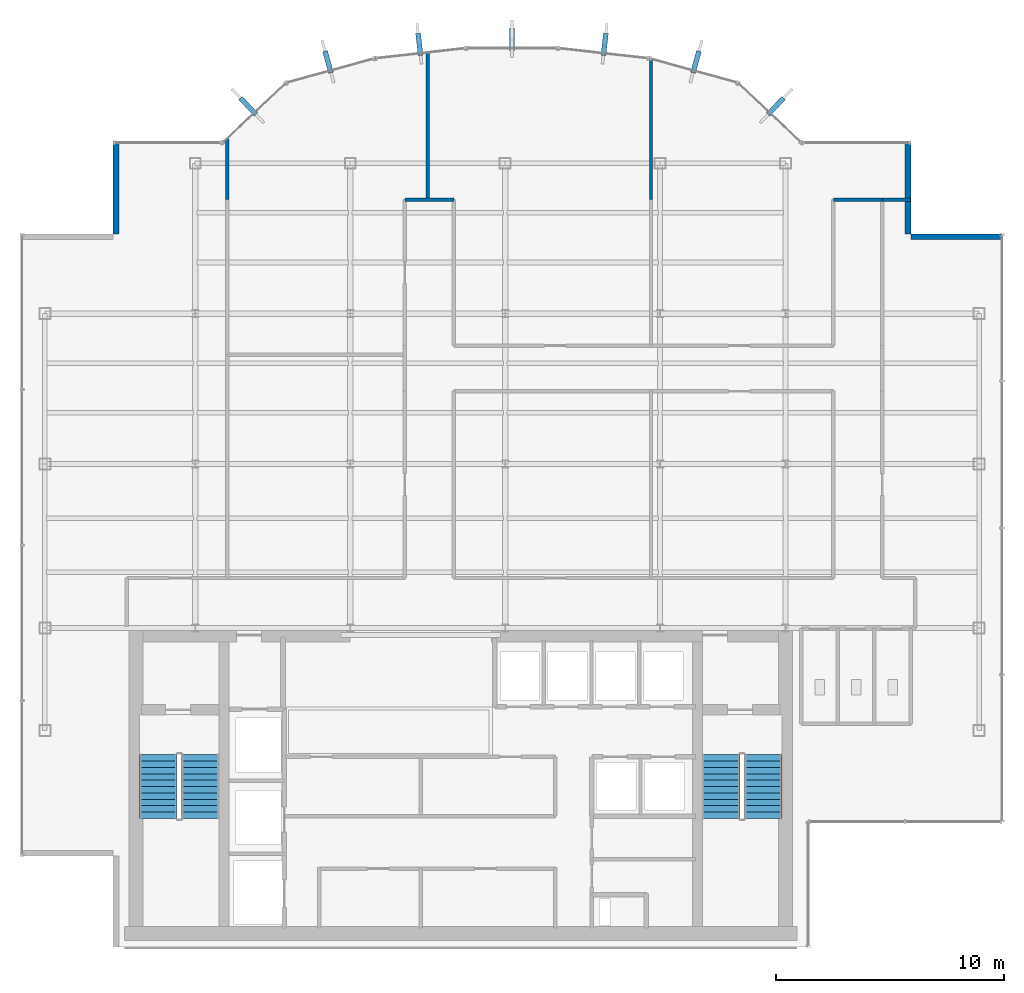
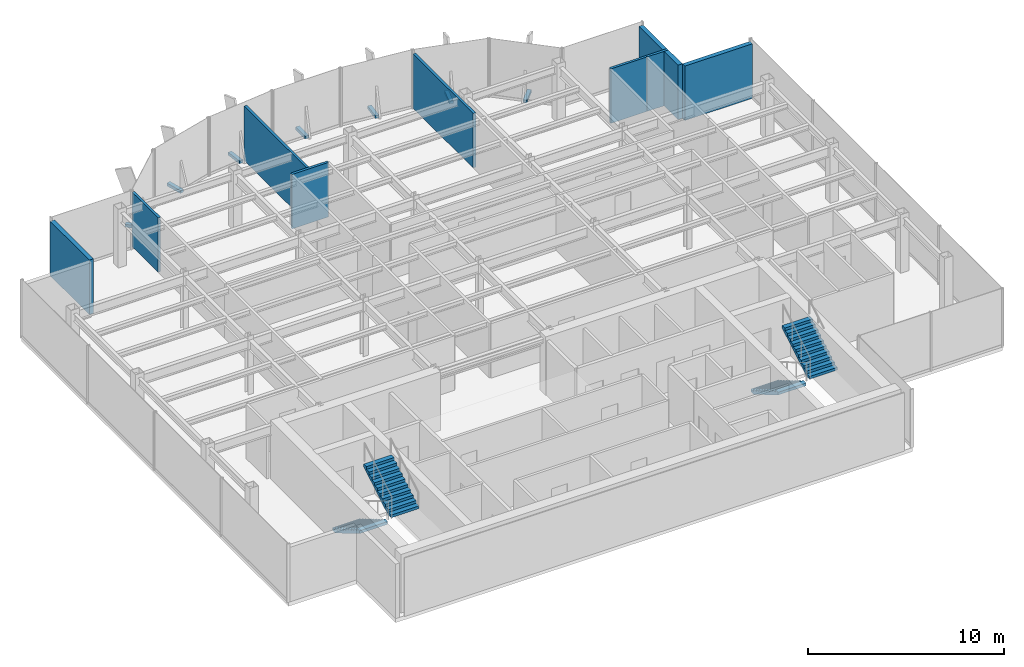
# One storey, part 19 of 22: 9 walls, 7 discrete accessories, 4 stair flights, 2 elements without a shape of their own.
"""IFC4 building model written with IfcOpenShell, lengths in metres."""

from ifc_helpers import new_model, si_unit, derived_unit, direction, frame, frame_2d, origin, origin_2d, place, context, subcontext, project, spatial, polyline, rectangle, outline, extrude, source, transform, mapped, material, layer, layer_set, type_object, element, aggregate, save


model = new_model("IFC4")

# Units and contexts
model_context = context("Model", 3, precision=1e-05, world=origin(), true_north=direction((0.0, 1.0)))
body_context = subcontext(model_context, "Body", "Model", "MODEL_VIEW")
ifc_project = project(units=[si_unit("LENGTHUNIT", "METRE"), si_unit("AREAUNIT", "SQUARE_METRE"), si_unit("VOLUMEUNIT", "CUBIC_METRE"), si_unit("PLANEANGLEUNIT", "RADIAN"), si_unit("MASSUNIT", "GRAM", prefix="KILO"), derived_unit("THERMALTRANSMITTANCEUNIT", [(si_unit("POWERUNIT", "WATT"), 1), (si_unit("LENGTHUNIT", "METRE"), -2), (si_unit("THERMODYNAMICTEMPERATUREUNIT", "KELVIN"), -1)])], contexts=[model_context])

# Site, building, storey
site_placement = place(None, origin())
site = spatial("IfcSite", under=ifc_project, at=site_placement, CompositionType="ELEMENT")
building_placement = place(site_placement, origin())
building = spatial("IfcBuilding", under=site, at=building_placement, Name="Skarnbrae Concourse Arena and Tower", CompositionType="ELEMENT")
storey_placement = place(building_placement, frame((0.0, 0.0, 280.699951171875)))
storey = spatial("IfcBuildingStorey", under=building, at=storey_placement, Name="L73", CompositionType="ELEMENT", Elevation=280.699951171875)

# Walls
ifc_material_1 = material(Name="Precast concrete 40 MPa (C40/50)", Category="concrete")
ifc_layer_1 = layer(ifc_material_1, 0.25)
ifc_layer_set_1 = layer_set([ifc_layer_1], Name="Precast concrete 40 MPa (C40/50)")
wall_type_1 = type_object("IfcWallType", Name="WALL-EXT-SPANDREL-250", PredefinedType="STANDARD", material=ifc_layer_set_1)
shared_shape_1 = source(origin(), body_context, "Body", "SweptSolid", [
    extrude(rectangle(XDim=4.0, YDim=0.25, at=frame_2d((2.0, 0.0))), origin(), (0.0, 0.0, 1.0), 3.400146484375),
])
for number, where, z_axis, x_axis, name in (
    (1, (43.0, 31.175048828125, 0.0), (0.0, 0.0, 1.0), (-1.0, 0.0, 0.0), "L73 Notched corner insulated return wall 05"),
    (2, (38.875, 31.300048828125, 0.0), (0.0, 0.0, 1.0), (0.0, 1.0, 0.0), "L73 Notched corner insulated return wall 06"),
    (3, (4.125, 35.300048828125, 0.0), (0.0, 0.0, 1.0), (0.0, -1.0, 0.0), "L73 Notched corner insulated return wall 16"),
):
    element("IfcWall", number, at=place(storey_placement, frame(where, z_axis=z_axis, x_axis=x_axis)), inside=storey, type_object=wall_type_1, Name=name, PredefinedType="STANDARD", context=body_context, shape_type="MappedRepresentation", body=[
        mapped(shared_shape_1, transform((0.0, 0.0, 0.0))),
    ])
ifc_material_2 = material(Name="Gypsum board on cold-formed steel studs", Category="steel")
ifc_layer_2 = layer(ifc_material_2, 0.14990234375)
ifc_layer_set_2 = layer_set([ifc_layer_2], Name="Gypsum board on cold-formed steel studs")
wall_type_2 = type_object("IfcWallType", Name="WALL-PART-150-1HR", PredefinedType="PARTITIONING", material=ifc_layer_set_2)
shared_shape_2 = source(origin(), body_context, "Body", "SweptSolid", [
    extrude(rectangle(XDim=2.14990234375, YDim=0.14990234375, at=frame_2d((1.074951171875, 0.0))), origin(), (0.0, 0.0, 1.0), 3.400146484375),
])
for number, where, z_axis, x_axis, name in (
    (4, (16.800048828125, 32.800048828125, 0.0), (0.0, 0.0, 1.0), (1.0, 0.0, 0.0), "L73 Interior partition wall W-L73-COR-06"),
    (5, (35.60009765625, 32.800048828125, 0.0), (0.0, 0.0, 1.0), (1.0, 0.0, 0.0), "L73 Interior partition wall W-L73-COR-10"),
):
    element("IfcWall", number, at=place(storey_placement, frame(where, z_axis=z_axis, x_axis=x_axis)), inside=storey, type_object=wall_type_2, Name=name, PredefinedType="PARTITIONING", context=body_context, shape_type="MappedRepresentation", body=[
        mapped(shared_shape_2, transform((0.0, 0.0, 0.0))),
    ])
ifc_layer_3 = layer(ifc_material_2, 0.14990234375)
ifc_layer_set_3 = layer_set([ifc_layer_3], Name="Gypsum board on cold-formed steel studs")
wall_type_3 = type_object("IfcWallType", Name="WALL-PART-150", PredefinedType="PARTITIONING", material=ifc_layer_set_3)
shared_shape_3 = source(origin(), body_context, "Body", "SweptSolid", [
    extrude(rectangle(XDim=2.66064453125, YDim=0.14990234375, at=frame_2d((1.330322265625, 0.0))), origin(), (0.0, 0.0, 1.0), 3.400146484375),
])
wall_1_placement = place(storey_placement, frame((9.0, 35.460693359375, 0.0), z_axis=(0.0, 0.0, 1.0), x_axis=(0.0, -1.0, 0.0)))
element("IfcWall", 6, at=wall_1_placement, inside=storey, type_object=wall_type_3, Name="L73 Interior partition wall W-L73-DEM-23", PredefinedType="PARTITIONING", context=body_context, shape_type="MappedRepresentation", body=[
    mapped(shared_shape_3, transform((0.0, 0.0, 0.0))),
])
shared_shape_4 = source(origin(), body_context, "Body", "SweptSolid", [
    extrude(rectangle(XDim=6.437744140625, YDim=0.14990234375, at=frame_2d((3.21875, 0.0))), origin(), (0.0, 0.0, 1.0), 3.400146484375),
])
wall_2_placement = place(storey_placement, frame((17.800048828125, 39.23779296875, 0.0), z_axis=(0.0, 0.0, 1.0), x_axis=(0.0, -1.0, 0.0)))
element("IfcWall", 7, at=wall_2_placement, inside=storey, type_object=wall_type_3, Name="L73 Interior partition wall W-L73-DEM-25", PredefinedType="PARTITIONING", context=body_context, shape_type="MappedRepresentation", body=[
    mapped(shared_shape_4, transform((0.0, 0.0, 0.0))),
])
shared_shape_5 = source(origin(), body_context, "Body", "SweptSolid", [
    extrude(rectangle(XDim=6.15576171875, YDim=0.14990234375, at=frame_2d((3.077880859375, 0.0))), origin(), (0.0, 0.0, 1.0), 3.400146484375),
])
wall_3_placement = place(storey_placement, frame((27.60009765625, 38.955810546875, 0.0), z_axis=(0.0, 0.0, 1.0), x_axis=(0.0, -1.0, 0.0)))
element("IfcWall", 8, at=wall_3_placement, inside=storey, type_object=wall_type_3, Name="L73 Interior partition wall W-L73-DEM-27", PredefinedType="PARTITIONING", context=body_context, shape_type="MappedRepresentation", body=[
    mapped(shared_shape_5, transform((0.0, 0.0, 0.0))),
])
shared_shape_6 = source(origin(), body_context, "Body", "SweptSolid", [
    extrude(rectangle(XDim=1.22998046875, YDim=0.14990234375, at=frame_2d((0.614990234375, 0.0))), origin(), (0.0, 0.0, 1.0), 3.400146484375),
])
wall_4_placement = place(storey_placement, frame((38.97998046875, 32.800048828125, 0.0), z_axis=(0.0, 0.0, 1.0), x_axis=(-1.0, 0.0, 0.0)))
element("IfcWall", 9, at=wall_4_placement, inside=storey, type_object=wall_type_3, Name="L73 Interior partition wall W-L73-DEM-29", PredefinedType="PARTITIONING", context=body_context, shape_type="MappedRepresentation", body=[
    mapped(shared_shape_6, transform((0.0, 0.0, 0.0))),
])

# Stair, stair flights
ifc_material_3 = material(Name="Concrete 40 MPa (C40/50)", Category="concrete")
stair_type = type_object("IfcStairType", Name="STAIR-DOGLEG-1650", PredefinedType="HALF_TURN_STAIR", material=ifc_material_3)
stair_1_placement = place(storey_placement, origin())
stair_1 = element("IfcStair", 10, at=stair_1_placement, inside=storey, type_object=stair_type, Name="L73 Protected Exit Stair ST-1", PredefinedType="HALF_TURN_STAIR")
stair_flight_type = type_object("IfcStairFlightType", Name="FLIGHT-STRAIGHT-1650", PredefinedType="STRAIGHT", material=ifc_material_3)
shared_shape_7 = source(origin(), body_context, "Body", "SweptSolid", [
    extrude(outline(polyline([(0.0, 0.0), (0.0, 0.166015625), (0.280029296875, 0.166015625), (0.280029296875, 0.331787109375), (0.56005859375, 0.331787109375), (0.56005859375, 0.497802734375), (0.840087890625, 0.497802734375), (0.840087890625, 0.66357421875), (1.1201171875, 0.66357421875), (1.1201171875, 0.82958984375), (1.39990234375, 0.82958984375), (1.39990234375, 0.995361328125), (1.679931640625, 0.995361328125), (1.679931640625, 1.161376953125), (1.9599609375, 1.161376953125), (1.9599609375, 1.327392578125), (2.239990234375, 1.327392578125), (2.239990234375, 1.4931640625), (2.52001953125, 1.4931640625), (2.52001953125, 1.6591796875), (2.800048828125, 1.6591796875), (2.800048828125, 1.824951171875), (2.800048828125, 1.48486328125), (0.2939453125, 0.0), (0.0, 0.0)])), frame((0.0, 0.824951171875, 0.0), z_axis=(0.0, -1.0, 0.0), x_axis=(1.0, 0.0, 0.0)), (0.0, 0.0, 1.0), 1.64990234375),
])
stair_flight_1_placement = place(storey_placement, frame((5.97509765625, 8.449951171875, 0.0), z_axis=(0.0, 0.0, 1.0), x_axis=(0.0, -1.0, 0.0)))
stair_flight_1 = element("IfcStairFlight", 11, at=stair_flight_1_placement, type_object=stair_flight_type, Name="ST-1 flight 1", NumberOfRisers=11, NumberOfTreads=10, PredefinedType="STRAIGHT", RiserHeight=0.165909091, TreadLength=0.28, context=body_context, shape_type="MappedRepresentation", body=[
    mapped(shared_shape_7, transform((0.0, 0.0, 0.0))),
])
stair_flight_2_placement = place(storey_placement, frame((7.824951171875, 5.64990234375, 1.824951171875), z_axis=(0.0, 0.0, 1.0), x_axis=(0.0, 1.0, 0.0)))
stair_flight_2 = element("IfcStairFlight", 12, at=stair_flight_2_placement, type_object=stair_flight_type, Name="ST-1 flight 2", NumberOfRisers=11, NumberOfTreads=10, PredefinedType="STRAIGHT", RiserHeight=0.165909091, TreadLength=0.28, context=body_context, shape_type="MappedRepresentation", body=[
    mapped(shared_shape_7, transform((0.0, 0.0, 0.0))),
])
aggregate(stair_1, [stair_flight_1, stair_flight_2])

stair_2_placement = place(storey_placement, origin())
stair_2 = element("IfcStair", 13, at=stair_2_placement, inside=storey, type_object=stair_type, Name="L73 Protected Exit Stair ST-2", PredefinedType="HALF_TURN_STAIR")
stair_flight_3_placement = place(storey_placement, frame((30.675048828125, 8.449951171875, 0.0), z_axis=(0.0, 0.0, 1.0), x_axis=(0.0, -1.0, 0.0)))
stair_flight_3 = element("IfcStairFlight", 14, at=stair_flight_3_placement, type_object=stair_flight_type, Name="ST-2 flight 1", NumberOfRisers=11, NumberOfTreads=10, PredefinedType="STRAIGHT", RiserHeight=0.165909091, TreadLength=0.28, context=body_context, shape_type="MappedRepresentation", body=[
    mapped(shared_shape_7, transform((0.0, 0.0, 0.0))),
])
stair_flight_4_placement = place(storey_placement, frame((32.52490234375, 5.64990234375, 1.824951171875), z_axis=(0.0, 0.0, 1.0), x_axis=(0.0, 1.0, 0.0)))
stair_flight_4 = element("IfcStairFlight", 15, at=stair_flight_4_placement, type_object=stair_flight_type, Name="ST-2 flight 2", NumberOfRisers=11, NumberOfTreads=10, PredefinedType="STRAIGHT", RiserHeight=0.165909091, TreadLength=0.28, context=body_context, shape_type="MappedRepresentation", body=[
    mapped(shared_shape_7, transform((0.0, 0.0, 0.0))),
])
aggregate(stair_2, [stair_flight_3, stair_flight_4])

# Discrete accessories
ifc_material_4 = material(Name="Bronze anodised aluminium 6063-T6", Category="aluminium")
discrete_accessory_type = type_object("IfcDiscreteAccessoryType", Name="ACC-FIN-BRACKET", PredefinedType="BRACKET", material=ifc_material_4)
shared_shape_8 = source(origin(), body_context, "Body", "SweptSolid", [
    extrude(rectangle(XDim=0.219970703125, YDim=0.97998046875, at=origin_2d()), origin(), (0.0, 0.0, 1.0), 0.179931640625),
])
for number, where, z_axis, x_axis, name in (
    (16, (33.0791015625, 36.904541015625, -0.02978515625), (0.0, 0.0, 1.0), (0.728131751529, -0.685437198009, 0.0), "L73 Bronze fin foot support bracket 08"),
    (17, (29.573974609375, 38.847412109375, -0.02978515625), (0.0, 0.0, 1.0), (0.964058316208, -0.265690728011, 0.0), "L73 Bronze fin foot support bracket 09"),
    (18, (25.566162109375, 39.619384765625, -0.02978515625), (0.0, 0.0, 1.0), (0.993769864509, -0.111451587667, 0.0), "L73 Bronze fin foot support bracket 10"),
    (19, (21.5, 39.8466796875, -0.02978515625), (0.0, 0.0, 1.0), (1.0, 0.0, 0.0), "L73 Bronze fin foot support bracket 11"),
    (20, (17.433837890625, 39.619384765625, -0.02978515625), (0.0, 0.0, 1.0), (0.993769864509, 0.111451587667, 0.0), "L73 Bronze fin foot support bracket 12"),
    (21, (13.426025390625, 38.847412109375, -0.02978515625), (0.0, 0.0, 1.0), (0.964058316208, 0.265690728011, 0.0), "L73 Bronze fin foot support bracket 13"),
    (22, (9.9208984375, 36.904541015625, -0.02978515625), (0.0, 0.0, 1.0), (0.728131751529, 0.685437198009, 0.0), "L73 Bronze fin foot support bracket 14"),
):
    element("IfcDiscreteAccessory", number, at=place(storey_placement, frame(where, z_axis=z_axis, x_axis=x_axis)), inside=storey, type_object=discrete_accessory_type, Name=name, PredefinedType="BRACKET", context=body_context, shape_type="MappedRepresentation", body=[
        mapped(shared_shape_8, transform((0.0, 0.0, 0.0))),
    ])

save(model, "model.ifc")
